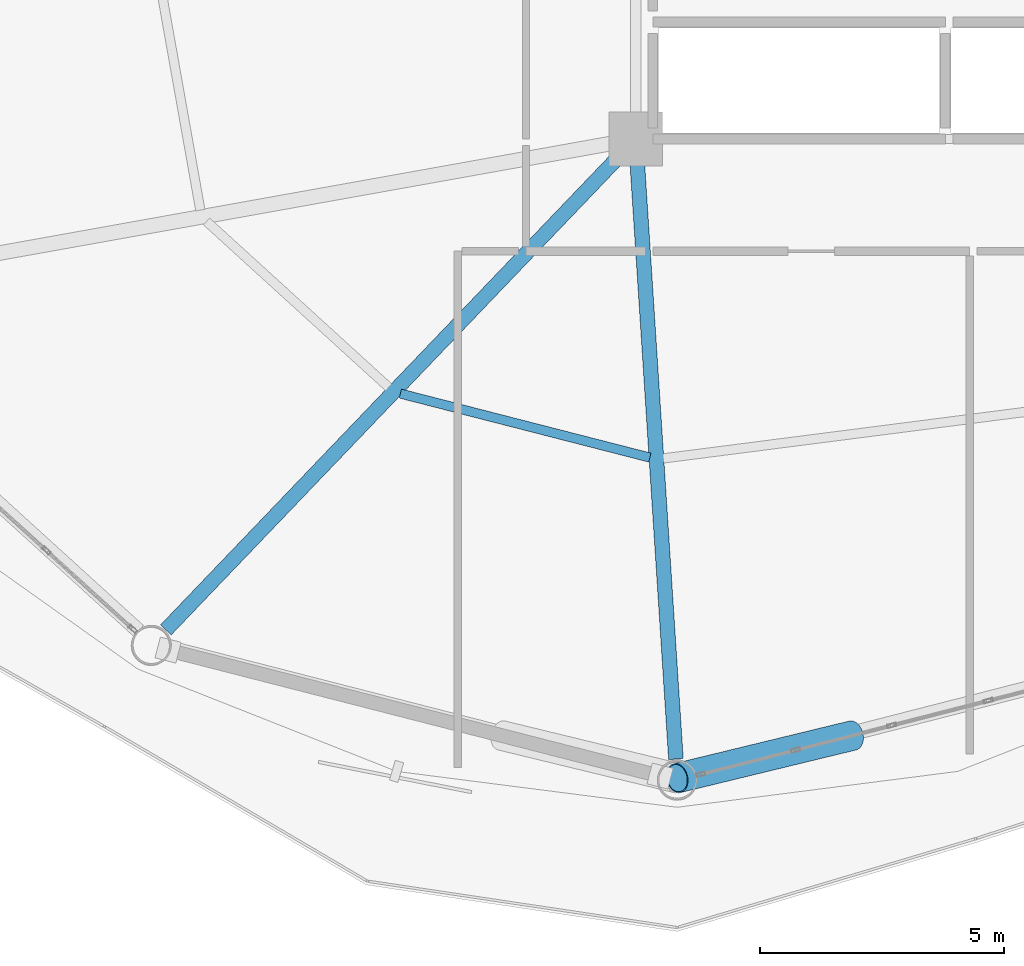
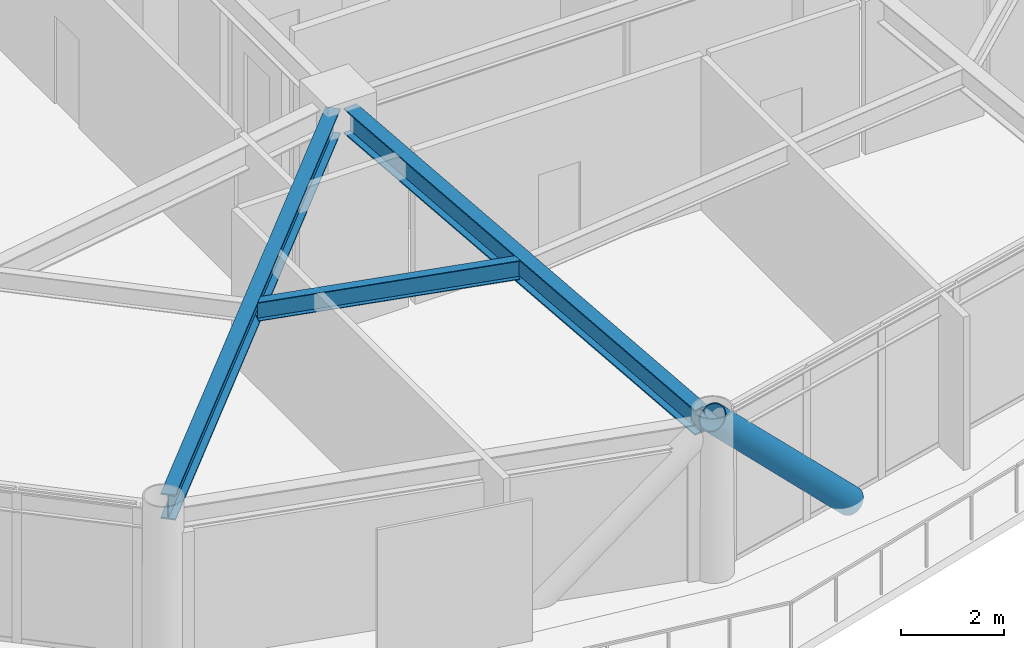
# One storey, part 6 of 26: 3 beams, 1 member.
"""IFC4 building model written with IfcOpenShell, lengths in metres."""

from ifc_helpers import new_model, si_unit, direction, frame, origin, origin_2d, place, context, subcontext, project, spatial, hollow_circle, i_section, extrude, material, material_profile, profile_set, type_object, element, save


model = new_model("IFC4")

# Units and contexts
model_context = context("Model", 3, precision=1e-05, world=origin(), true_north=direction((0.0, 1.0)))
body_context = subcontext(model_context, "Body", "Model", "MODEL_VIEW")
ifc_project = project(units=[si_unit("LENGTHUNIT", "METRE"), si_unit("AREAUNIT", "SQUARE_METRE"), si_unit("VOLUMEUNIT", "CUBIC_METRE"), si_unit("PLANEANGLEUNIT", "RADIAN"), si_unit("MASSUNIT", "GRAM", prefix="KILO")], contexts=[model_context])

# Site, building, storey
site_placement = place(None, origin())
site = spatial("IfcSite", under=ifc_project, at=site_placement, CompositionType="ELEMENT")
building_placement = place(site_placement, origin())
building = spatial("IfcBuilding", under=site, at=building_placement, Name="Varnakorn Sky Granary", CompositionType="ELEMENT")
storey_placement = place(building_placement, frame((0.0, 0.0, 95.39990234375)))
storey = spatial("IfcBuildingStorey", under=building, at=storey_placement, Name="L23", CompositionType="ELEMENT", Elevation=95.39990234375)

# Beams
ifc_material_1 = material(Name="Steel S355JR", Category="steel")
ifc_material_profile_1 = material_profile(ifc_material_1, i_section(OverallWidth=0.300048828125, OverallDepth=0.60009765625, WebThickness=0.015380859375, FlangeThickness=0.030029296875, at=origin_2d()), Name="HE 600 B")
ifc_profile_set_1 = profile_set([ifc_material_profile_1], Name="Steel S355JR")
beam_type_1 = type_object("IfcBeamType", Name="BM-RAD-Z2", PredefinedType="BEAM", material=ifc_profile_set_1)
beam_1_placement = place(storey_placement, frame((-2.640380859375, -6.9033203125, 3.340087890625), z_axis=(-0.691503523268, -0.722373087337, 0.0), x_axis=(0.722373087337, -0.691503523268, 0.0)))
element("IfcBeam", 1, at=beam_1_placement, inside=storey, type_object=beam_type_1, Name="Radial Floor Girder RG09 L23", PredefinedType="BEAM", context=body_context, shape_type="SweptSolid", body=[
    extrude(i_section(OverallWidth=0.300048828125, OverallDepth=0.60009765625, WebThickness=0.015380859375, FlangeThickness=0.030029296875, at=origin_2d()), origin(), (0.0, 0.0, 1.0), 13.51611328125),
])
beam_2_placement = place(storey_placement, frame((-2.32275390625, -7.01904296875, 3.340087890625), z_axis=(0.064704308788, -0.997904480611, 0.0), x_axis=(0.997904480611, 0.064704308788, 0.0)))
element("IfcBeam", 2, at=beam_2_placement, inside=storey, type_object=beam_type_1, Name="Radial Floor Girder RG10 L23", PredefinedType="BEAM", context=body_context, shape_type="SweptSolid", body=[
    extrude(i_section(OverallWidth=0.300048828125, OverallDepth=0.60009765625, WebThickness=0.015380859375, FlangeThickness=0.030029296875, at=origin_2d()), origin(), (0.0, 0.0, 1.0), 12.3232421875),
])
ifc_material_profile_2 = material_profile(ifc_material_1, i_section(OverallWidth=0.18994140625, OverallDepth=0.449951171875, WebThickness=0.009521484375, FlangeThickness=0.0146484375, at=origin_2d()), Name="IPE 450")
ifc_profile_set_2 = profile_set([ifc_material_profile_2], Name="Steel S355JR")
beam_type_2 = type_object("IfcBeamType", Name="BM-SEC-Z2", PredefinedType="BEAM", material=ifc_profile_set_2)
beam_3_placement = place(storey_placement, frame((-7.177978515625, -11.820068359375, 3.4150390625), z_axis=(0.968645905907, -0.248445384281, 0.0), x_axis=(0.248445384281, 0.968645905907, 0.0)))
element("IfcBeam", 3, at=beam_3_placement, inside=storey, type_object=beam_type_2, Name="Secondary Floor Chord Beam MSB09 L23", PredefinedType="BEAM", context=body_context, shape_type="SweptSolid", body=[
    extrude(i_section(OverallWidth=0.18994140625, OverallDepth=0.449951171875, WebThickness=0.009521484375, FlangeThickness=0.0146484375, at=origin_2d()), origin(), (0.0, 0.0, 1.0), 5.283935546875),
])

# Member
ifc_material_2 = material(Name="Steel S460M", Category="steel")
ifc_material_profile_3 = material_profile(ifc_material_2, hollow_circle(Radius=0.304931640625, WallThickness=0.022216796875, at=origin_2d()), Name="CHS 610x22")
ifc_profile_set_3 = profile_set([ifc_material_profile_3], Name="Steel S460M")
member_type = type_object("IfcMemberType", Name="MB-DIAG-T1", PredefinedType="BRACE", material=ifc_profile_set_3)
member_placement = place(storey_placement, frame((2.096923828125, -18.833740234375, -0.1298828125), z_axis=(-0.680806572136, -0.165291869173, 0.713569204298), x_axis=(0.235934152698, -0.971769044367, 0.0)))
element("IfcMember", 4, at=member_placement, inside=storey, type_object=member_type, Name="Perimeter CHS Diagrid Brace DG10 L23", PredefinedType="BRACE", context=body_context, shape_type="SweptSolid", body=[
    extrude(hollow_circle(Radius=0.304931640625, WallThickness=0.022216796875, at=origin_2d()), origin(), (0.0, 0.0, 1.0), 5.283447265625),
])

save(model, "model.ifc")
